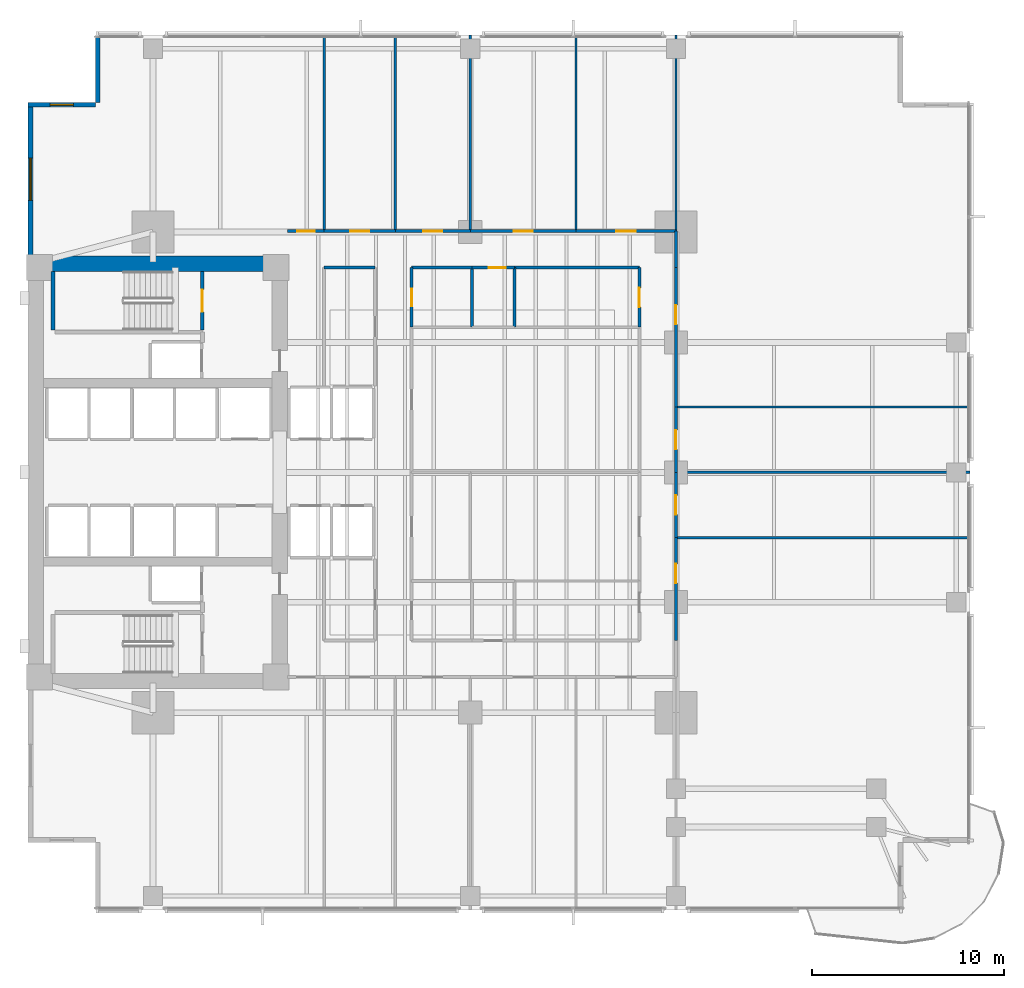
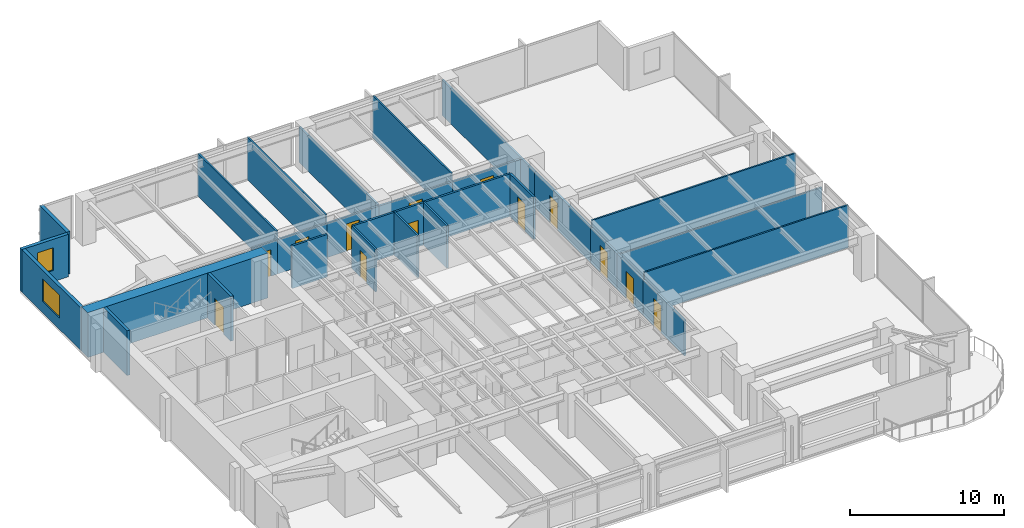
# One storey, part 10 of 15: 32 walls, 13 doors, 2 windows, 15 openings.
"""IFC4 building model written with IfcOpenShell, lengths in metres."""

from ifc_helpers import new_model, si_unit, direction, frame, frame_2d, origin, place, context, subcontext, project, spatial, rectangle, extrude, material, layer, layer_set, type_object, element, fill, save


model = new_model("IFC4")

# Units and contexts
model_context = context("Model", 3, precision=1e-05, world=origin(), true_north=direction((0.0, 1.0)))
body_context = subcontext(model_context, "Body", "Model", "MODEL_VIEW")
ifc_project = project(units=[si_unit("LENGTHUNIT", "METRE"), si_unit("AREAUNIT", "SQUARE_METRE"), si_unit("VOLUMEUNIT", "CUBIC_METRE"), si_unit("PLANEANGLEUNIT", "RADIAN"), si_unit("MASSUNIT", "GRAM", prefix="KILO")], contexts=[model_context])

# Site, building, storey
site_placement = place(None, origin())
site = spatial("IfcSite", under=ifc_project, at=site_placement, CompositionType="ELEMENT")
building_placement = place(site_placement, origin())
building = spatial("IfcBuilding", under=site, at=building_placement, Name="Kinhvarn Gate Tower", CompositionType="ELEMENT")
storey_placement = place(building_placement, frame((0.0, 0.0, 64.64990234375)))
storey = spatial("IfcBuildingStorey", under=building, at=storey_placement, Name="L16", CompositionType="ELEMENT", Elevation=64.64990234375)

# Wall
ifc_material_1 = material(Name="Concrete C70/85", Category="concrete")
ifc_layer_1 = layer(ifc_material_1, 0.800048828125)
ifc_layer_set_1 = layer_set([ifc_layer_1], Name="Concrete C70/85")
wall_type_1 = type_object("IfcWallType", Name="WL-CORE-800", PredefinedType="SHEAR", material=ifc_layer_set_1)
wall_1_placement = place(storey_placement, frame((4.5, 36.10009765625, 0.0), z_axis=(0.0, 0.0, 1.0), x_axis=(1.0, 0.0, 0.0)))
element("IfcWall", 1, at=wall_1_placement, inside=storey, type_object=wall_type_1, Name="Core North Shear Wall L16 800 mm", PredefinedType="SHEAR", context=body_context, shape_type="SweptSolid", body=[
    extrude(rectangle(XDim=13.5, YDim=0.800048828125, at=frame_2d((6.75, 0.0))), origin(), (0.0, 0.0, 1.0), 3.550048828125),
])

# Wall, opening, window
ifc_material_2 = material(Name="Fired architectural terracotta", Category="masonry")
ifc_layer_2 = layer(ifc_material_2, 0.25)
ifc_layer_set_2 = layer_set([ifc_layer_2], Name="Fired architectural terracotta")
wall_type_2 = type_object("IfcWallType", Name="WL-EXT-250", PredefinedType="SOLIDWALL", material=ifc_layer_set_2)
wall_2_placement = place(storey_placement, frame((4.625, 44.5, 0.0), z_axis=(0.0, 0.0, 1.0), x_axis=(0.0, -1.0, 0.0)))
wall_2 = element("IfcWall", 2, at=wall_2_placement, inside=storey, type_object=wall_type_2, Name="Exterior Solidwall Wall EW-250 (L16 West-North)", PredefinedType="SOLIDWALL", context=body_context, shape_type="SweptSolid", body=[
    extrude(rectangle(XDim=8.0, YDim=0.25, at=frame_2d((4.0, 0.0))), origin(), (0.0, 0.0, 1.0), 3.3701171875),
])
opening_1_placement = place(wall_2_placement, frame((2.89990234375, 0.0, 0.89990234375)))
opening_1 = element("IfcOpeningElement", 3, at=opening_1_placement, cuts=wall_2, Name="Opening WN-01", PredefinedType="OPENING", context=body_context, shape_type="SweptSolid", body=[
    extrude(rectangle(XDim=2.199951171875, YDim=1.800048828125, at=frame_2d((1.10009765625, 0.89990234375))), frame((0.0, 0.135009765625, 0.0), z_axis=(0.0, -1.0, 0.0), x_axis=(1.0, 0.0, 0.0)), (0.0, 0.0, 1.0), 0.27001953125),
])
ifc_material_3 = material(Name="Clear low-e double glazing", Category="glass")
window_type_1 = type_object("IfcWindowType", Name="WIN-RIB-2200", PartitioningType="SINGLE_PANEL", PredefinedType="WINDOW", material=ifc_material_3)
window_1_placement = place(opening_1_placement, origin())
window_1 = element("IfcWindow", 4, at=window_1_placement, inside=storey, type_object=window_type_1, Name="West Flank Double-Glazed Ribbon Window 2200x1800 mm (L16)", OverallHeight=1.800048828125, OverallWidth=2.199951171875, PartitioningType="SINGLE_PANEL", PredefinedType="WINDOW", context=body_context, shape_type="SweptSolid", body=[
    extrude(rectangle(XDim=2.199951171875, YDim=1.800048828125, at=frame_2d((1.10009765625, 0.89990234375))), frame((0.0, 0.030029296875, 0.0), z_axis=(0.0, -1.0, 0.0), x_axis=(1.0, 0.0, 0.0)), (0.0, 0.0, 1.0), 0.06005859375),
])
fill(opening_1, window_1)

# Wall
wall_3_placement = place(storey_placement, frame((8.125, 48.0, 0.0), z_axis=(0.0, 0.0, 1.0), x_axis=(0.0, -1.0, 0.0)))
element("IfcWall", 5, at=wall_3_placement, inside=storey, type_object=wall_type_2, Name="Exterior Solidwall Wall EW-250 (L16 NW-Notch-1)", PredefinedType="SOLIDWALL", context=body_context, shape_type="SweptSolid", body=[
    extrude(rectangle(XDim=3.5, YDim=0.25, at=frame_2d((1.75, 0.0))), origin(), (0.0, 0.0, 1.0), 3.3701171875),
])

# Wall, opening, window
wall_4_placement = place(storey_placement, frame((8.0, 44.375, 0.0), z_axis=(0.0, 0.0, 1.0), x_axis=(-1.0, 0.0, 0.0)))
wall_4 = element("IfcWall", 6, at=wall_4_placement, inside=storey, type_object=wall_type_2, Name="Exterior Solidwall Wall EW-250 (L16 NW-Notch-2)", PredefinedType="SOLIDWALL", context=body_context, shape_type="SweptSolid", body=[
    extrude(rectangle(XDim=3.5, YDim=0.25, at=frame_2d((1.75, 0.0))), origin(), (0.0, 0.0, 1.0), 3.3701171875),
])
opening_2_placement = place(wall_4_placement, frame((1.14990234375, 0.0, 0.89990234375)))
opening_2 = element("IfcOpeningElement", 7, at=opening_2_placement, cuts=wall_4, Name="Opening WN-02", PredefinedType="OPENING", context=body_context, shape_type="SweptSolid", body=[
    extrude(rectangle(XDim=1.199951171875, YDim=1.800048828125, at=frame_2d((0.60009765625, 0.89990234375))), frame((0.0, 0.135009765625, 0.0), z_axis=(0.0, -1.0, 0.0), x_axis=(1.0, 0.0, 0.0)), (0.0, 0.0, 1.0), 0.27001953125),
])
window_type_2 = type_object("IfcWindowType", Name="WIN-NTC-1200", PartitioningType="SINGLE_PANEL", PredefinedType="WINDOW", material=ifc_material_3)
window_2_placement = place(opening_2_placement, origin())
window_2 = element("IfcWindow", 8, at=window_2_placement, inside=storey, type_object=window_type_2, Name="Recessed Corner Notch Punched Window 1200x1800 mm (L16)", OverallHeight=1.800048828125, OverallWidth=1.199951171875, PartitioningType="SINGLE_PANEL", PredefinedType="WINDOW", context=body_context, shape_type="SweptSolid", body=[
    extrude(rectangle(XDim=1.199951171875, YDim=1.800048828125, at=frame_2d((0.60009765625, 0.89990234375))), frame((0.0, 0.030029296875, 0.0), z_axis=(0.0, -1.0, 0.0), x_axis=(1.0, 0.0, 0.0)), (0.0, 0.0, 1.0), 0.06005859375),
])
fill(opening_2, window_2)

# Walls
ifc_material_4 = material(Name="Gypsum acoustic partition board")
ifc_layer_3 = layer(ifc_material_4, 0.14990234375)
ifc_layer_set_3 = layer_set([ifc_layer_3], Name="Gypsum acoustic partition board")
wall_type_3 = type_object("IfcWallType", Name="WL-PLM-150", PredefinedType="PLUMBINGWALL", material=ifc_layer_set_3)
for number, where, z_axis, x_axis, name in (
    (9, (27.60009765625, 32.800048828125, 0.0), (0.0, 0.0, 1.0), (0.0, 1.0, 0.0), "Interior Partition PLW-150 (L16)"),
    (10, (29.800048828125, 32.800048828125, 0.0), (0.0, 0.0, 1.0), (0.0, 1.0, 0.0), "Interior Partition PLW-150 (L16)"),
):
    element("IfcWall", number, at=place(storey_placement, frame(where, z_axis=z_axis, x_axis=x_axis)), inside=storey, type_object=wall_type_3, Name=name, PredefinedType="PLUMBINGWALL", context=body_context, shape_type="SweptSolid", body=[
        extrude(rectangle(XDim=3.099853515625, YDim=0.14990234375, at=frame_2d((1.5498046875, 0.0))), origin(), (0.0, 0.0, 1.0), 3.3701171875),
    ])

# Wall, opening, door
ifc_layer_4 = layer(ifc_material_4, 0.14990234375)
ifc_layer_set_4 = layer_set([ifc_layer_4], Name="Gypsum acoustic partition board")
wall_type_4 = type_object("IfcWallType", Name="WL-PLM-150F", PredefinedType="PLUMBINGWALL", material=ifc_layer_set_4)
wall_5_placement = place(storey_placement, frame((24.449951171875, 32.800048828125, 0.0), z_axis=(0.0, 0.0, 1.0), x_axis=(0.0, 1.0, 0.0)))
wall_5 = element("IfcWall", 11, at=wall_5_placement, inside=storey, type_object=wall_type_4, Name="Interior Partition PLW-150F (L16)", PredefinedType="PLUMBINGWALL", context=body_context, shape_type="SweptSolid", body=[
    extrude(rectangle(XDim=3.099853515625, YDim=0.14990234375, at=frame_2d((1.5498046875, 0.0))), origin(), (0.0, 0.0, 1.0), 3.3701171875),
])
opening_3_placement = place(wall_5_placement, frame((1.10009765625, 0.0, 0.0)))
opening_3 = element("IfcOpeningElement", 12, at=opening_3_placement, cuts=wall_5, Name="Opening FD-04", PredefinedType="OPENING", context=body_context, shape_type="SweptSolid", body=[
    extrude(rectangle(XDim=0.89990234375, YDim=2.10009765625, at=frame_2d((0.449951171875, 1.050048828125))), frame((0.0, 0.0849609375, 0.0), z_axis=(0.0, -1.0, 0.0), x_axis=(1.0, 0.0, 0.0)), (0.0, 0.0, 1.0), 0.169921875),
])
ifc_material_5 = material(Name="Anodised aluminium AW-6063", Category="aluminium")
door_type_1 = type_object("IfcDoorType", Name="DR-FD-900", OperationType="NOTDEFINED", PredefinedType="DOOR", material=ifc_material_5)
door_1_placement = place(opening_3_placement, origin())
door_1 = element("IfcDoor", 13, at=door_1_placement, inside=storey, type_object=door_type_1, Name="Rated Riser & Service Closet Fire Door 900x2100 mm (L16)", OperationType="SINGLE_SWING_RIGHT", OverallHeight=2.10009765625, OverallWidth=0.89990234375, PredefinedType="DOOR", context=body_context, shape_type="SweptSolid", body=[
    extrude(rectangle(XDim=0.89990234375, YDim=2.10009765625, at=frame_2d((0.449951171875, 1.050048828125))), frame((0.0, 0.02490234375, 0.0), z_axis=(0.0, -1.0, 0.0), x_axis=(1.0, 0.0, 0.0)), (0.0, 0.0, 1.0), 0.050048828125),
])
fill(opening_3, door_1)

# Wall
wall_6_placement = place(storey_placement, frame((24.449951171875, 35.89990234375, 0.0), z_axis=(0.0, 0.0, 1.0), x_axis=(1.0, 0.0, 0.0)))
element("IfcWall", 14, at=wall_6_placement, inside=storey, type_object=wall_type_4, Name="Interior Partition PLW-150F (L16)", PredefinedType="PLUMBINGWALL", context=body_context, shape_type="SweptSolid", body=[
    extrude(rectangle(XDim=3.150146484375, YDim=0.14990234375, at=frame_2d((1.5751953125, 0.0))), origin(), (0.0, 0.0, 1.0), 3.3701171875),
])

# Wall, opening, door
wall_7_placement = place(storey_placement, frame((27.60009765625, 35.89990234375, 0.0), z_axis=(0.0, 0.0, 1.0), x_axis=(1.0, 0.0, 0.0)))
wall_7 = element("IfcWall", 15, at=wall_7_placement, inside=storey, type_object=wall_type_4, Name="Interior Partition PLW-150F (L16)", PredefinedType="PLUMBINGWALL", context=body_context, shape_type="SweptSolid", body=[
    extrude(rectangle(XDim=2.199951171875, YDim=0.14990234375, at=frame_2d((1.10009765625, 0.0))), origin(), (0.0, 0.0, 1.0), 3.3701171875),
])
opening_4_placement = place(wall_7_placement, frame((0.85107421875, 0.0, 0.0)))
opening_4 = element("IfcOpeningElement", 16, at=opening_4_placement, cuts=wall_7, Name="Opening FD-04", PredefinedType="OPENING", context=body_context, shape_type="SweptSolid", body=[
    extrude(rectangle(XDim=0.89990234375, YDim=2.10009765625, at=frame_2d((0.449951171875, 1.050048828125))), frame((0.0, 0.0849609375, 0.0), z_axis=(0.0, -1.0, 0.0), x_axis=(1.0, 0.0, 0.0)), (0.0, 0.0, 1.0), 0.169921875),
])
door_2_placement = place(opening_4_placement, origin())
door_2 = element("IfcDoor", 17, at=door_2_placement, inside=storey, type_object=door_type_1, Name="Rated Riser & Service Closet Fire Door 900x2100 mm (L16)", OperationType="SINGLE_SWING_LEFT", OverallHeight=2.10009765625, OverallWidth=0.89990234375, PredefinedType="DOOR", context=body_context, shape_type="SweptSolid", body=[
    extrude(rectangle(XDim=0.89990234375, YDim=2.10009765625, at=frame_2d((0.449951171875, 1.050048828125))), frame((0.0, 0.02490234375, 0.0), z_axis=(0.0, -1.0, 0.0), x_axis=(1.0, 0.0, 0.0)), (0.0, 0.0, 1.0), 0.050048828125),
])
fill(opening_4, door_2)

# Walls
ifc_layer_5 = layer(ifc_material_4, 0.1201171875)
ifc_layer_set_5 = layer_set([ifc_layer_5], Name="Gypsum acoustic partition board")
wall_type_5 = type_object("IfcWallType", Name="WL-PRT-120", PredefinedType="PARTITIONING", material=ifc_layer_set_5)
for number, where, z_axis, x_axis, name in (
    (18, (19.89990234375, 37.800048828125, 0.0), (0.0, 0.0, 1.0), (0.0, 1.0, 0.0), "Interior Partition PW-120 (L16)"),
    (19, (23.60009765625, 37.800048828125, 0.0), (0.0, 0.0, 1.0), (0.0, 1.0, 0.0), "Interior Partition PW-120 (L16)"),
):
    element("IfcWall", number, at=place(storey_placement, frame(where, z_axis=z_axis, x_axis=x_axis)), inside=storey, type_object=wall_type_5, Name=name, PredefinedType="PARTITIONING", context=body_context, shape_type="SweptSolid", body=[
        extrude(rectangle(XDim=10.18994140625, YDim=0.1201171875, at=frame_2d((5.094970703125, 0.0))), origin(), (0.0, 0.0, 1.0), 3.3701171875),
    ])
wall_8_placement = place(storey_placement, frame((27.5, 37.800048828125, 0.0), z_axis=(0.0, 0.0, 1.0), x_axis=(0.0, 1.0, 0.0)))
element("IfcWall", 20, at=wall_8_placement, inside=storey, type_object=wall_type_5, Name="Interior Partition PW-120 (L16)", PredefinedType="PARTITIONING", context=body_context, shape_type="SweptSolid", body=[
    extrude(rectangle(XDim=10.18994140625, YDim=0.1201171875, at=frame_2d((5.094970703125, 0.0))), origin(), (0.0, 0.0, 1.0), 2.820068359375),
])
wall_9_placement = place(storey_placement, frame((33.0, 37.800048828125, 0.0), z_axis=(0.0, 0.0, 1.0), x_axis=(0.0, 1.0, 0.0)))
element("IfcWall", 21, at=wall_9_placement, inside=storey, type_object=wall_type_5, Name="Interior Partition PW-120 (L16)", PredefinedType="PARTITIONING", context=body_context, shape_type="SweptSolid", body=[
    extrude(rectangle(XDim=10.18994140625, YDim=0.1201171875, at=frame_2d((5.094970703125, 0.0))), origin(), (0.0, 0.0, 1.0), 3.3701171875),
])
wall_10_placement = place(storey_placement, frame((38.199951171875, 37.800048828125, 0.0), z_axis=(0.0, 0.0, 1.0), x_axis=(0.0, 1.0, 0.0)))
element("IfcWall", 22, at=wall_10_placement, inside=storey, type_object=wall_type_5, Name="Interior Partition PW-120 (L16)", PredefinedType="PARTITIONING", context=body_context, shape_type="SweptSolid", body=[
    extrude(rectangle(XDim=10.18994140625, YDim=0.1201171875, at=frame_2d((5.094970703125, 0.0))), origin(), (0.0, 0.0, 1.0), 2.820068359375),
])
wall_11_placement = place(storey_placement, frame((38.199951171875, 21.85009765625, 0.0), z_axis=(0.0, 0.0, 1.0), x_axis=(1.0, 0.0, 0.0)))
element("IfcWall", 23, at=wall_11_placement, inside=storey, type_object=wall_type_5, Name="Interior Partition PW-120 (L16)", PredefinedType="PARTITIONING", context=body_context, shape_type="SweptSolid", body=[
    extrude(rectangle(XDim=15.2900390625, YDim=0.1201171875, at=frame_2d((7.64501953125, 0.0))), origin(), (0.0, 0.0, 1.0), 3.3701171875),
])
wall_12_placement = place(storey_placement, frame((38.199951171875, 25.25, 0.0), z_axis=(0.0, 0.0, 1.0), x_axis=(1.0, 0.0, 0.0)))
element("IfcWall", 24, at=wall_12_placement, inside=storey, type_object=wall_type_5, Name="Interior Partition PW-120 (L16)", PredefinedType="PARTITIONING", context=body_context, shape_type="SweptSolid", body=[
    extrude(rectangle(XDim=15.2900390625, YDim=0.1201171875, at=frame_2d((7.64501953125, 0.0))), origin(), (0.0, 0.0, 1.0), 2.72021484375),
])
wall_13_placement = place(storey_placement, frame((38.199951171875, 28.64990234375, 0.0), z_axis=(0.0, 0.0, 1.0), x_axis=(1.0, 0.0, 0.0)))
element("IfcWall", 25, at=wall_13_placement, inside=storey, type_object=wall_type_5, Name="Interior Partition PW-120 (L16)", PredefinedType="PARTITIONING", context=body_context, shape_type="SweptSolid", body=[
    extrude(rectangle(XDim=15.2900390625, YDim=0.1201171875, at=frame_2d((7.64501953125, 0.0))), origin(), (0.0, 0.0, 1.0), 3.3701171875),
])
ifc_layer_6 = layer(ifc_material_4, 0.14990234375)
ifc_layer_set_6 = layer_set([ifc_layer_6], Name="Gypsum acoustic partition board")
wall_type_6 = type_object("IfcWallType", Name="WL-PRT-150F", PredefinedType="PARTITIONING", material=ifc_layer_set_6)
wall_14_placement = place(storey_placement, frame((19.89990234375, 35.89990234375, 0.0), z_axis=(0.0, 0.0, 1.0), x_axis=(1.0, 0.0, 0.0)))
element("IfcWall", 26, at=wall_14_placement, inside=storey, type_object=wall_type_6, Name="Interior Partition PW-150F (L16)", PredefinedType="PARTITIONING", context=body_context, shape_type="SweptSolid", body=[
    extrude(rectangle(XDim=2.650146484375, YDim=0.14990234375, at=frame_2d((1.3251953125, 0.0))), origin(), (0.0, 0.0, 1.0), 3.3701171875),
])
wall_15_placement = place(storey_placement, frame((29.800048828125, 35.89990234375, 0.0), z_axis=(0.0, 0.0, 1.0), x_axis=(1.0, 0.0, 0.0)))
element("IfcWall", 27, at=wall_15_placement, inside=storey, type_object=wall_type_6, Name="Interior Partition PW-150F (L16)", PredefinedType="PARTITIONING", context=body_context, shape_type="SweptSolid", body=[
    extrude(rectangle(XDim=6.5, YDim=0.14990234375, at=frame_2d((3.25, 0.0))), origin(), (0.0, 0.0, 1.0), 3.3701171875),
])

# Wall, opening, door
wall_16_placement = place(storey_placement, frame((18.0, 37.800048828125, 0.0), z_axis=(0.0, 0.0, 1.0), x_axis=(1.0, 0.0, 0.0)))
wall_16 = element("IfcWall", 28, at=wall_16_placement, inside=storey, type_object=wall_type_6, Name="Interior Partition PW-150F (L16)", PredefinedType="PARTITIONING", context=body_context, shape_type="SweptSolid", body=[
    extrude(rectangle(XDim=1.89990234375, YDim=0.14990234375, at=frame_2d((0.949951171875, 0.0))), origin(), (0.0, 0.0, 1.0), 2.72021484375),
])
opening_5_placement = place(wall_16_placement, frame((0.5, 0.0, 0.0)))
opening_5 = element("IfcOpeningElement", 29, at=opening_5_placement, cuts=wall_16, Name="Opening ID-03", PredefinedType="OPENING", context=body_context, shape_type="SweptSolid", body=[
    extrude(rectangle(XDim=0.89990234375, YDim=2.10009765625, at=frame_2d((0.449951171875, 1.050048828125))), frame((0.0, 0.0849609375, 0.0), z_axis=(0.0, -1.0, 0.0), x_axis=(1.0, 0.0, 0.0)), (0.0, 0.0, 1.0), 0.169921875),
])
door_type_2 = type_object("IfcDoorType", Name="DR-INT-900", OperationType="NOTDEFINED", PredefinedType="DOOR", material=ifc_material_5)
door_3_placement = place(opening_5_placement, origin())
door_3 = element("IfcDoor", 30, at=door_3_placement, inside=storey, type_object=door_type_2, Name="Cellular Office & Restroom Door 900x2100 mm (L16)", OperationType="SINGLE_SWING_RIGHT", OverallHeight=2.10009765625, OverallWidth=0.89990234375, PredefinedType="DOOR", context=body_context, shape_type="SweptSolid", body=[
    extrude(rectangle(XDim=0.89990234375, YDim=2.10009765625, at=frame_2d((0.449951171875, 1.050048828125))), frame((0.0, 0.02490234375, 0.0), z_axis=(0.0, -1.0, 0.0), x_axis=(1.0, 0.0, 0.0)), (0.0, 0.0, 1.0), 0.050048828125),
])
fill(opening_5, door_3)

wall_17_placement = place(storey_placement, frame((19.89990234375, 37.800048828125, 0.0), z_axis=(0.0, 0.0, 1.0), x_axis=(1.0, 0.0, 0.0)))
wall_17 = element("IfcWall", 31, at=wall_17_placement, inside=storey, type_object=wall_type_6, Name="Interior Partition PW-150F (L16)", PredefinedType="PARTITIONING", context=body_context, shape_type="SweptSolid", body=[
    extrude(rectangle(XDim=3.7001953125, YDim=0.14990234375, at=frame_2d((1.85009765625, 0.0))), origin(), (0.0, 0.0, 1.0), 2.72021484375),
])
opening_6_placement = place(wall_17_placement, frame((1.35009765625, 0.0, 0.0)))
opening_6 = element("IfcOpeningElement", 32, at=opening_6_placement, cuts=wall_17, Name="Opening ID-02", PredefinedType="OPENING", context=body_context, shape_type="SweptSolid", body=[
    extrude(rectangle(XDim=1.0, YDim=2.14990234375, at=frame_2d((0.5, 1.074951171875))), frame((0.0, 0.0849609375, 0.0), z_axis=(0.0, -1.0, 0.0), x_axis=(1.0, 0.0, 0.0)), (0.0, 0.0, 1.0), 0.169921875),
])
door_type_3 = type_object("IfcDoorType", Name="DR-INT-1000", OperationType="NOTDEFINED", PredefinedType="DOOR", material=ifc_material_5)
door_4_placement = place(opening_6_placement, origin())
door_4 = element("IfcDoor", 33, at=door_4_placement, inside=storey, type_object=door_type_3, Name="Standard Office & Meeting Room Door 1000x2150 mm (L16)", OperationType="SINGLE_SWING_LEFT", OverallHeight=2.14990234375, OverallWidth=1.0, PredefinedType="DOOR", context=body_context, shape_type="SweptSolid", body=[
    extrude(rectangle(XDim=1.0, YDim=2.14990234375, at=frame_2d((0.5, 1.074951171875))), frame((0.0, 0.02490234375, 0.0), z_axis=(0.0, -1.0, 0.0), x_axis=(1.0, 0.0, 0.0)), (0.0, 0.0, 1.0), 0.050048828125),
])
fill(opening_6, door_4)

wall_18_placement = place(storey_placement, frame((23.60009765625, 37.800048828125, 0.0), z_axis=(0.0, 0.0, 1.0), x_axis=(1.0, 0.0, 0.0)))
wall_18 = element("IfcWall", 34, at=wall_18_placement, inside=storey, type_object=wall_type_6, Name="Interior Partition PW-150F (L16)", PredefinedType="PARTITIONING", context=body_context, shape_type="SweptSolid", body=[
    extrude(rectangle(XDim=3.89990234375, YDim=0.14990234375, at=frame_2d((1.949951171875, 0.0))), origin(), (0.0, 0.0, 1.0), 2.72021484375),
])
opening_7_placement = place(wall_18_placement, frame((1.449951171875, 0.0, 0.0)))
opening_7 = element("IfcOpeningElement", 35, at=opening_7_placement, cuts=wall_18, Name="Opening ID-02", PredefinedType="OPENING", context=body_context, shape_type="SweptSolid", body=[
    extrude(rectangle(XDim=1.0, YDim=2.14990234375, at=frame_2d((0.5, 1.074951171875))), frame((0.0, 0.0849609375, 0.0), z_axis=(0.0, -1.0, 0.0), x_axis=(1.0, 0.0, 0.0)), (0.0, 0.0, 1.0), 0.169921875),
])
door_5_placement = place(opening_7_placement, origin())
door_5 = element("IfcDoor", 36, at=door_5_placement, inside=storey, type_object=door_type_3, Name="Standard Office & Meeting Room Door 1000x2150 mm (L16)", OperationType="SINGLE_SWING_RIGHT", OverallHeight=2.14990234375, OverallWidth=1.0, PredefinedType="DOOR", context=body_context, shape_type="SweptSolid", body=[
    extrude(rectangle(XDim=1.0, YDim=2.14990234375, at=frame_2d((0.5, 1.074951171875))), frame((0.0, 0.02490234375, 0.0), z_axis=(0.0, -1.0, 0.0), x_axis=(1.0, 0.0, 0.0)), (0.0, 0.0, 1.0), 0.050048828125),
])
fill(opening_7, door_5)

wall_19_placement = place(storey_placement, frame((27.5, 37.800048828125, 0.0), z_axis=(0.0, 0.0, 1.0), x_axis=(1.0, 0.0, 0.0)))
wall_19 = element("IfcWall", 37, at=wall_19_placement, inside=storey, type_object=wall_type_6, Name="Interior Partition PW-150F (L16)", PredefinedType="PARTITIONING", context=body_context, shape_type="SweptSolid", body=[
    extrude(rectangle(XDim=5.5, YDim=0.14990234375, at=frame_2d((2.75, 0.0))), origin(), (0.0, 0.0, 1.0), 2.72021484375),
])
opening_8_placement = place(wall_19_placement, frame((2.25, 0.0, 0.0)))
opening_8 = element("IfcOpeningElement", 38, at=opening_8_placement, cuts=wall_19, Name="Opening ID-02", PredefinedType="OPENING", context=body_context, shape_type="SweptSolid", body=[
    extrude(rectangle(XDim=1.0, YDim=2.14990234375, at=frame_2d((0.5, 1.074951171875))), frame((0.0, 0.0849609375, 0.0), z_axis=(0.0, -1.0, 0.0), x_axis=(1.0, 0.0, 0.0)), (0.0, 0.0, 1.0), 0.169921875),
])
door_6_placement = place(opening_8_placement, origin())
door_6 = element("IfcDoor", 39, at=door_6_placement, inside=storey, type_object=door_type_3, Name="Standard Office & Meeting Room Door 1000x2150 mm (L16)", OperationType="SINGLE_SWING_LEFT", OverallHeight=2.14990234375, OverallWidth=1.0, PredefinedType="DOOR", context=body_context, shape_type="SweptSolid", body=[
    extrude(rectangle(XDim=1.0, YDim=2.14990234375, at=frame_2d((0.5, 1.074951171875))), frame((0.0, 0.02490234375, 0.0), z_axis=(0.0, -1.0, 0.0), x_axis=(1.0, 0.0, 0.0)), (0.0, 0.0, 1.0), 0.050048828125),
])
fill(opening_8, door_6)

wall_20_placement = place(storey_placement, frame((33.0, 37.800048828125, 0.0), z_axis=(0.0, 0.0, 1.0), x_axis=(1.0, 0.0, 0.0)))
wall_20 = element("IfcWall", 40, at=wall_20_placement, inside=storey, type_object=wall_type_6, Name="Interior Partition PW-150F (L16)", PredefinedType="PARTITIONING", context=body_context, shape_type="SweptSolid", body=[
    extrude(rectangle(XDim=5.199951171875, YDim=0.14990234375, at=frame_2d((2.60009765625, 0.0))), origin(), (0.0, 0.0, 1.0), 2.72021484375),
])
opening_9_placement = place(wall_20_placement, frame((2.10009765625, 0.0, 0.0)))
opening_9 = element("IfcOpeningElement", 41, at=opening_9_placement, cuts=wall_20, Name="Opening ID-02", PredefinedType="OPENING", context=body_context, shape_type="SweptSolid", body=[
    extrude(rectangle(XDim=1.0, YDim=2.14990234375, at=frame_2d((0.5, 1.074951171875))), frame((0.0, 0.0849609375, 0.0), z_axis=(0.0, -1.0, 0.0), x_axis=(1.0, 0.0, 0.0)), (0.0, 0.0, 1.0), 0.169921875),
])
door_7_placement = place(opening_9_placement, origin())
door_7 = element("IfcDoor", 42, at=door_7_placement, inside=storey, type_object=door_type_3, Name="Standard Office & Meeting Room Door 1000x2150 mm (L16)", OperationType="SINGLE_SWING_RIGHT", OverallHeight=2.14990234375, OverallWidth=1.0, PredefinedType="DOOR", context=body_context, shape_type="SweptSolid", body=[
    extrude(rectangle(XDim=1.0, YDim=2.14990234375, at=frame_2d((0.5, 1.074951171875))), frame((0.0, 0.02490234375, 0.0), z_axis=(0.0, -1.0, 0.0), x_axis=(1.0, 0.0, 0.0)), (0.0, 0.0, 1.0), 0.050048828125),
])
fill(opening_9, door_7)

# Wall
wall_21_placement = place(storey_placement, frame((38.199951171875, 35.89990234375, 0.0), z_axis=(0.0, 0.0, 1.0), x_axis=(0.0, 1.0, 0.0)))
element("IfcWall", 43, at=wall_21_placement, inside=storey, type_object=wall_type_6, Name="Interior Partition PW-150F (L16)", PredefinedType="PARTITIONING", context=body_context, shape_type="SweptSolid", body=[
    extrude(rectangle(XDim=1.900146484375, YDim=0.14990234375, at=frame_2d((0.9501953125, 0.0))), origin(), (0.0, 0.0, 1.0), 2.820068359375),
])

# Wall, opening, door
wall_22_placement = place(storey_placement, frame((36.300048828125, 32.800048828125, 0.0), z_axis=(0.0, 0.0, 1.0), x_axis=(0.0, 1.0, 0.0)))
wall_22 = element("IfcWall", 44, at=wall_22_placement, inside=storey, type_object=wall_type_6, Name="Interior Partition PW-150F (L16)", PredefinedType="PARTITIONING", context=body_context, shape_type="SweptSolid", body=[
    extrude(rectangle(XDim=3.099853515625, YDim=0.14990234375, at=frame_2d((1.5498046875, 0.0))), origin(), (0.0, 0.0, 1.0), 3.3701171875),
])
opening_10_placement = place(wall_22_placement, frame((1.050048828125, 0.0, 0.0)))
opening_10 = element("IfcOpeningElement", 45, at=opening_10_placement, cuts=wall_22, Name="Opening ID-02", PredefinedType="OPENING", context=body_context, shape_type="SweptSolid", body=[
    extrude(rectangle(XDim=1.0, YDim=2.14990234375, at=frame_2d((0.5, 1.074951171875))), frame((0.0, 0.0849609375, 0.0), z_axis=(0.0, -1.0, 0.0), x_axis=(1.0, 0.0, 0.0)), (0.0, 0.0, 1.0), 0.169921875),
])
door_8_placement = place(opening_10_placement, origin())
door_8 = element("IfcDoor", 46, at=door_8_placement, inside=storey, type_object=door_type_3, Name="Standard Office & Meeting Room Door 1000x2150 mm (L16)", OperationType="SINGLE_SWING_RIGHT", OverallHeight=2.14990234375, OverallWidth=1.0, PredefinedType="DOOR", context=body_context, shape_type="SweptSolid", body=[
    extrude(rectangle(XDim=1.0, YDim=2.14990234375, at=frame_2d((0.5, 1.074951171875))), frame((0.0, 0.02490234375, 0.0), z_axis=(0.0, -1.0, 0.0), x_axis=(1.0, 0.0, 0.0)), (0.0, 0.0, 1.0), 0.050048828125),
])
fill(opening_10, door_8)

wall_23_placement = place(storey_placement, frame((38.199951171875, 16.5, 0.0), z_axis=(0.0, 0.0, 1.0), x_axis=(0.0, 1.0, 0.0)))
wall_23 = element("IfcWall", 47, at=wall_23_placement, inside=storey, type_object=wall_type_6, Name="Interior Partition PW-150F (L16)", PredefinedType="PARTITIONING", context=body_context, shape_type="SweptSolid", body=[
    extrude(rectangle(XDim=5.35009765625, YDim=0.14990234375, at=frame_2d((2.675048828125, 0.0))), origin(), (0.0, 0.0, 1.0), 2.820068359375),
])
opening_11_placement = place(wall_23_placement, frame((2.988037109375, 0.0, 0.0)))
opening_11 = element("IfcOpeningElement", 48, at=opening_11_placement, cuts=wall_23, Name="Opening ID-02", PredefinedType="OPENING", context=body_context, shape_type="SweptSolid", body=[
    extrude(rectangle(XDim=1.0, YDim=2.14990234375, at=frame_2d((0.5, 1.074951171875))), frame((0.0, 0.0849609375, 0.0), z_axis=(0.0, -1.0, 0.0), x_axis=(1.0, 0.0, 0.0)), (0.0, 0.0, 1.0), 0.169921875),
])
door_9_placement = place(opening_11_placement, origin())
door_9 = element("IfcDoor", 49, at=door_9_placement, inside=storey, type_object=door_type_3, Name="Standard Office & Meeting Room Door 1000x2150 mm (L16)", OperationType="SINGLE_SWING_RIGHT", OverallHeight=2.14990234375, OverallWidth=1.0, PredefinedType="DOOR", context=body_context, shape_type="SweptSolid", body=[
    extrude(rectangle(XDim=1.0, YDim=2.14990234375, at=frame_2d((0.5, 1.074951171875))), frame((0.0, 0.02490234375, 0.0), z_axis=(0.0, -1.0, 0.0), x_axis=(1.0, 0.0, 0.0)), (0.0, 0.0, 1.0), 0.050048828125),
])
fill(opening_11, door_9)

wall_24_placement = place(storey_placement, frame((38.199951171875, 21.85009765625, 0.0), z_axis=(0.0, 0.0, 1.0), x_axis=(0.0, 1.0, 0.0)))
wall_24 = element("IfcWall", 50, at=wall_24_placement, inside=storey, type_object=wall_type_6, Name="Interior Partition PW-150F (L16)", PredefinedType="PARTITIONING", context=body_context, shape_type="SweptSolid", body=[
    extrude(rectangle(XDim=3.39990234375, YDim=0.14990234375, at=frame_2d((1.699951171875, 0.0))), origin(), (0.0, 0.0, 1.0), 2.820068359375),
])
opening_12_placement = place(wall_24_placement, frame((1.199951171875, 0.0, 0.0)))
opening_12 = element("IfcOpeningElement", 51, at=opening_12_placement, cuts=wall_24, Name="Opening ID-02", PredefinedType="OPENING", context=body_context, shape_type="SweptSolid", body=[
    extrude(rectangle(XDim=1.0, YDim=2.14990234375, at=frame_2d((0.5, 1.074951171875))), frame((0.0, 0.0849609375, 0.0), z_axis=(0.0, -1.0, 0.0), x_axis=(1.0, 0.0, 0.0)), (0.0, 0.0, 1.0), 0.169921875),
])
door_10_placement = place(opening_12_placement, origin())
door_10 = element("IfcDoor", 52, at=door_10_placement, inside=storey, type_object=door_type_3, Name="Standard Office & Meeting Room Door 1000x2150 mm (L16)", OperationType="SINGLE_SWING_LEFT", OverallHeight=2.14990234375, OverallWidth=1.0, PredefinedType="DOOR", context=body_context, shape_type="SweptSolid", body=[
    extrude(rectangle(XDim=1.0, YDim=2.14990234375, at=frame_2d((0.5, 1.074951171875))), frame((0.0, 0.02490234375, 0.0), z_axis=(0.0, -1.0, 0.0), x_axis=(1.0, 0.0, 0.0)), (0.0, 0.0, 1.0), 0.050048828125),
])
fill(opening_12, door_10)

wall_25_placement = place(storey_placement, frame((38.199951171875, 25.25, 0.0), z_axis=(0.0, 0.0, 1.0), x_axis=(0.0, 1.0, 0.0)))
wall_25 = element("IfcWall", 53, at=wall_25_placement, inside=storey, type_object=wall_type_6, Name="Interior Partition PW-150F (L16)", PredefinedType="PARTITIONING", context=body_context, shape_type="SweptSolid", body=[
    extrude(rectangle(XDim=3.39990234375, YDim=0.14990234375, at=frame_2d((1.699951171875, 0.0))), origin(), (0.0, 0.0, 1.0), 2.820068359375),
])
opening_13_placement = place(wall_25_placement, frame((1.199951171875, 0.0, 0.0)))
opening_13 = element("IfcOpeningElement", 54, at=opening_13_placement, cuts=wall_25, Name="Opening ID-02", PredefinedType="OPENING", context=body_context, shape_type="SweptSolid", body=[
    extrude(rectangle(XDim=1.0, YDim=2.14990234375, at=frame_2d((0.5, 1.074951171875))), frame((0.0, 0.0849609375, 0.0), z_axis=(0.0, -1.0, 0.0), x_axis=(1.0, 0.0, 0.0)), (0.0, 0.0, 1.0), 0.169921875),
])
door_11_placement = place(opening_13_placement, origin())
door_11 = element("IfcDoor", 55, at=door_11_placement, inside=storey, type_object=door_type_3, Name="Standard Office & Meeting Room Door 1000x2150 mm (L16)", OperationType="SINGLE_SWING_RIGHT", OverallHeight=2.14990234375, OverallWidth=1.0, PredefinedType="DOOR", context=body_context, shape_type="SweptSolid", body=[
    extrude(rectangle(XDim=1.0, YDim=2.14990234375, at=frame_2d((0.5, 1.074951171875))), frame((0.0, 0.02490234375, 0.0), z_axis=(0.0, -1.0, 0.0), x_axis=(1.0, 0.0, 0.0)), (0.0, 0.0, 1.0), 0.050048828125),
])
fill(opening_13, door_11)

wall_26_placement = place(storey_placement, frame((38.199951171875, 28.64990234375, 0.0), z_axis=(0.0, 0.0, 1.0), x_axis=(0.0, 1.0, 0.0)))
wall_26 = element("IfcWall", 56, at=wall_26_placement, inside=storey, type_object=wall_type_6, Name="Interior Partition PW-150F (L16)", PredefinedType="PARTITIONING", context=body_context, shape_type="SweptSolid", body=[
    extrude(rectangle(XDim=7.25, YDim=0.14990234375, at=frame_2d((3.625, 0.0))), origin(), (0.0, 0.0, 1.0), 2.820068359375),
])
opening_14_placement = place(wall_26_placement, frame((4.302978515625, 0.0, 0.0)))
opening_14 = element("IfcOpeningElement", 57, at=opening_14_placement, cuts=wall_26, Name="Opening ID-02", PredefinedType="OPENING", context=body_context, shape_type="SweptSolid", body=[
    extrude(rectangle(XDim=1.0, YDim=2.14990234375, at=frame_2d((0.5, 1.074951171875))), frame((0.0, 0.0849609375, 0.0), z_axis=(0.0, -1.0, 0.0), x_axis=(1.0, 0.0, 0.0)), (0.0, 0.0, 1.0), 0.169921875),
])
door_12_placement = place(opening_14_placement, origin())
door_12 = element("IfcDoor", 58, at=door_12_placement, inside=storey, type_object=door_type_3, Name="Standard Office & Meeting Room Door 1000x2150 mm (L16)", OperationType="SINGLE_SWING_LEFT", OverallHeight=2.14990234375, OverallWidth=1.0, PredefinedType="DOOR", context=body_context, shape_type="SweptSolid", body=[
    extrude(rectangle(XDim=1.0, YDim=2.14990234375, at=frame_2d((0.5, 1.074951171875))), frame((0.0, 0.02490234375, 0.0), z_axis=(0.0, -1.0, 0.0), x_axis=(1.0, 0.0, 0.0)), (0.0, 0.0, 1.0), 0.050048828125),
])
fill(opening_14, door_12)

# Wall
ifc_material_6 = material(Name="Concrete C40/50", Category="concrete")
ifc_layer_7 = layer(ifc_material_6, 0.199951171875)
ifc_layer_set_7 = layer_set([ifc_layer_7], Name="Concrete C40/50")
wall_type_7 = type_object("IfcWallType", Name="WL-SHF-200", PredefinedType="SOLIDWALL", material=ifc_layer_set_7)
wall_27_placement = place(storey_placement, frame((5.7900390625, 32.64990234375, 0.0), z_axis=(0.0, 0.0, 1.0), x_axis=(0.0, 1.0, 0.0)))
element("IfcWall", 59, at=wall_27_placement, inside=storey, type_object=wall_type_7, Name="Stair ST2 West Shaft Wall (L16)", PredefinedType="SOLIDWALL", context=body_context, shape_type="SweptSolid", body=[
    extrude(rectangle(XDim=3.050048828125, YDim=0.199951171875, at=frame_2d((1.52490234375, 0.0))), origin(), (0.0, 0.0, 1.0), 3.550048828125),
])

# Wall, opening, door
wall_28_placement = place(storey_placement, frame((13.56005859375, 32.64990234375, 0.0), z_axis=(0.0, 0.0, 1.0), x_axis=(0.0, 1.0, 0.0)))
wall_28 = element("IfcWall", 60, at=wall_28_placement, inside=storey, type_object=wall_type_7, Name="Stair ST2 East Entry Wall (L16)", PredefinedType="SOLIDWALL", context=body_context, shape_type="SweptSolid", body=[
    extrude(rectangle(XDim=3.050048828125, YDim=0.199951171875, at=frame_2d((1.52490234375, 0.0))), origin(), (0.0, 0.0, 1.0), 3.550048828125),
])
opening_15_placement = place(wall_28_placement, frame((0.949951171875, 0.0, 0.0)))
opening_15 = element("IfcOpeningElement", 61, at=opening_15_placement, cuts=wall_28, Name="Opening FD-01", PredefinedType="OPENING", context=body_context, shape_type="SweptSolid", body=[
    extrude(rectangle(XDim=1.14990234375, YDim=2.14990234375, at=frame_2d((0.574951171875, 1.074951171875))), frame((0.0, 0.10986328125, 0.0), z_axis=(0.0, -1.0, 0.0), x_axis=(1.0, 0.0, 0.0)), (0.0, 0.0, 1.0), 0.219970703125),
])
door_type_4 = type_object("IfcDoorType", Name="DR-ST-1150", OperationType="NOTDEFINED", PredefinedType="DOOR", material=ifc_material_5)
door_13_placement = place(opening_15_placement, origin())
door_13 = element("IfcDoor", 62, at=door_13_placement, inside=storey, type_object=door_type_4, Name="Exit Stair ST2 Fire Door (L16)", OperationType="SINGLE_SWING_LEFT", OverallHeight=2.14990234375, OverallWidth=1.14990234375, PredefinedType="DOOR", context=body_context, shape_type="SweptSolid", body=[
    extrude(rectangle(XDim=1.14990234375, YDim=2.14990234375, at=frame_2d((0.574951171875, 1.074951171875))), frame((0.0, 0.02490234375, 0.0), z_axis=(0.0, -1.0, 0.0), x_axis=(1.0, 0.0, 0.0)), (0.0, 0.0, 1.0), 0.050048828125),
])
fill(opening_15, door_13)

save(model, "model.ifc")
